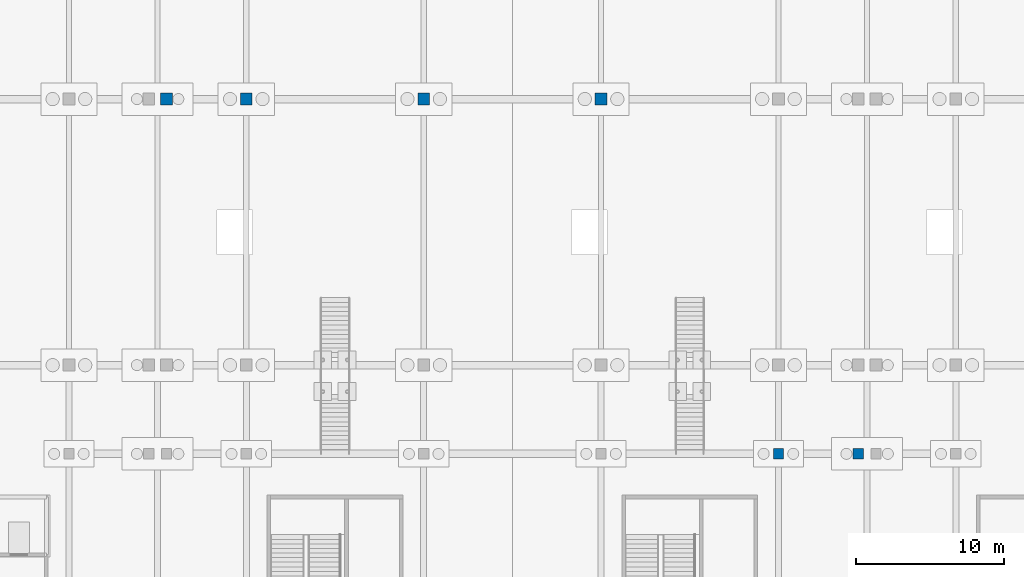
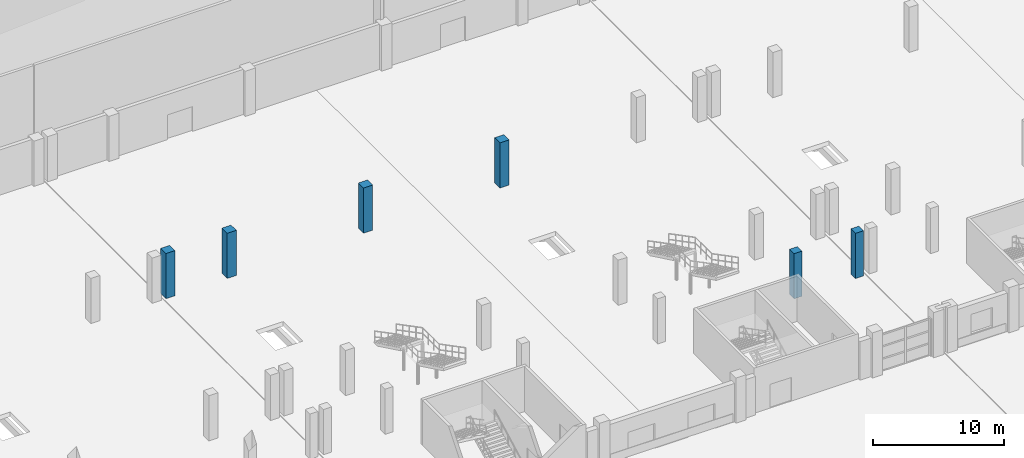
# One storey, part 30 of 77: 6 columns.
"""IFC4 building model written with IfcOpenShell, lengths in metres."""

from ifc_helpers import new_model, si_unit, direction, frame, origin, origin_2d, place, context, subcontext, project, spatial, rectangle, extrude, material, material_profile, profile_set, type_object, element, save


model = new_model("IFC4")

# Units and contexts
model_context = context("Model", 3, precision=1e-05, world=origin(), true_north=direction((0.0, 1.0)))
body_context = subcontext(model_context, "Body", "Model", "MODEL_VIEW")
ifc_project = project(units=[si_unit("LENGTHUNIT", "METRE"), si_unit("AREAUNIT", "SQUARE_METRE"), si_unit("VOLUMEUNIT", "CUBIC_METRE"), si_unit("PLANEANGLEUNIT", "RADIAN"), si_unit("MASSUNIT", "GRAM", prefix="KILO")], contexts=[model_context])

# Site, building, storey
site_placement = place(None, origin())
site = spatial("IfcSite", under=ifc_project, at=site_placement, CompositionType="ELEMENT")
building_placement = place(site_placement, origin())
building = spatial("IfcBuilding", under=site, at=building_placement, Name="Zilviju Railside Exhibition Hall", CompositionType="ELEMENT")
storey_placement = place(building_placement, origin())
storey = spatial("IfcBuildingStorey", under=building, at=storey_placement, Name="L01", CompositionType="ELEMENT", Elevation=0.0)

# Columns
ifc_material_1 = material(Name="Concrete C35/45", Category="concrete")
ifc_material_profile_1 = material_profile(ifc_material_1, rectangle(XDim=0.699951171875, YDim=0.699951171875, at=origin_2d()), Name="RC COL 700x700")
ifc_profile_set_1 = profile_set([ifc_material_profile_1], Name="Concrete C35/45")
column_type_1 = type_object("IfcColumnType", Name="COL-RC-700", PredefinedType="COLUMN", material=ifc_profile_set_1)
for number, where, z_axis, x_axis, name in (
    (1, (168.0, 96.0, 0.0), (0.0, 0.0, 1.0), (1.0, 0.0, 0.0), "Structural Column L01 (168.0, 96.0)"),
    (2, (173.39990234375, 96.0, 0.0), (0.0, 0.0, 1.0), (1.0, 0.0, 0.0), "Structural Column L01 (173.4, 96.0)"),
):
    element("IfcColumn", number, at=place(storey_placement, frame(where, z_axis=z_axis, x_axis=x_axis)), inside=storey, type_object=column_type_1, Name=name, PredefinedType="COLUMN", context=body_context, shape_type="SweptSolid", body=[
        extrude(rectangle(XDim=0.699951171875, YDim=0.699951171875, at=origin_2d()), origin(), (0.0, 0.0, 1.0), 4.199951171875),
    ])
ifc_material_2 = material(Name="Concrete C40/50", Category="concrete")
ifc_material_profile_2 = material_profile(ifc_material_2, rectangle(XDim=0.800048828125, YDim=0.800048828125, at=origin_2d()), Name="RC COL 800x800")
ifc_profile_set_2 = profile_set([ifc_material_profile_2], Name="Concrete C40/50")
column_type_2 = type_object("IfcColumnType", Name="COL-RC-800", PredefinedType="COLUMN", material=ifc_profile_set_2)
for number, where, z_axis, x_axis, name in (
    (3, (126.60009765625, 120.0, 0.0), (0.0, 0.0, 1.0), (1.0, 0.0, 0.0), "Structural Column L01 (126.6, 120.0)"),
    (4, (132.0, 120.0, 0.0), (0.0, 0.0, 1.0), (1.0, 0.0, 0.0), "Structural Column L01 (132.0, 120.0)"),
    (5, (144.0, 120.0, 0.0), (0.0, 0.0, 1.0), (1.0, 0.0, 0.0), "Structural Column L01 (144.0, 120.0)"),
    (6, (156.0, 120.0, 0.0), (0.0, 0.0, 1.0), (1.0, 0.0, 0.0), "Structural Column L01 (156.0, 120.0)"),
):
    element("IfcColumn", number, at=place(storey_placement, frame(where, z_axis=z_axis, x_axis=x_axis)), inside=storey, type_object=column_type_2, Name=name, PredefinedType="COLUMN", context=body_context, shape_type="SweptSolid", body=[
        extrude(rectangle(XDim=0.800048828125, YDim=0.800048828125, at=origin_2d()), origin(), (0.0, 0.0, 1.0), 4.199951171875),
    ])

save(model, "model.ifc")
